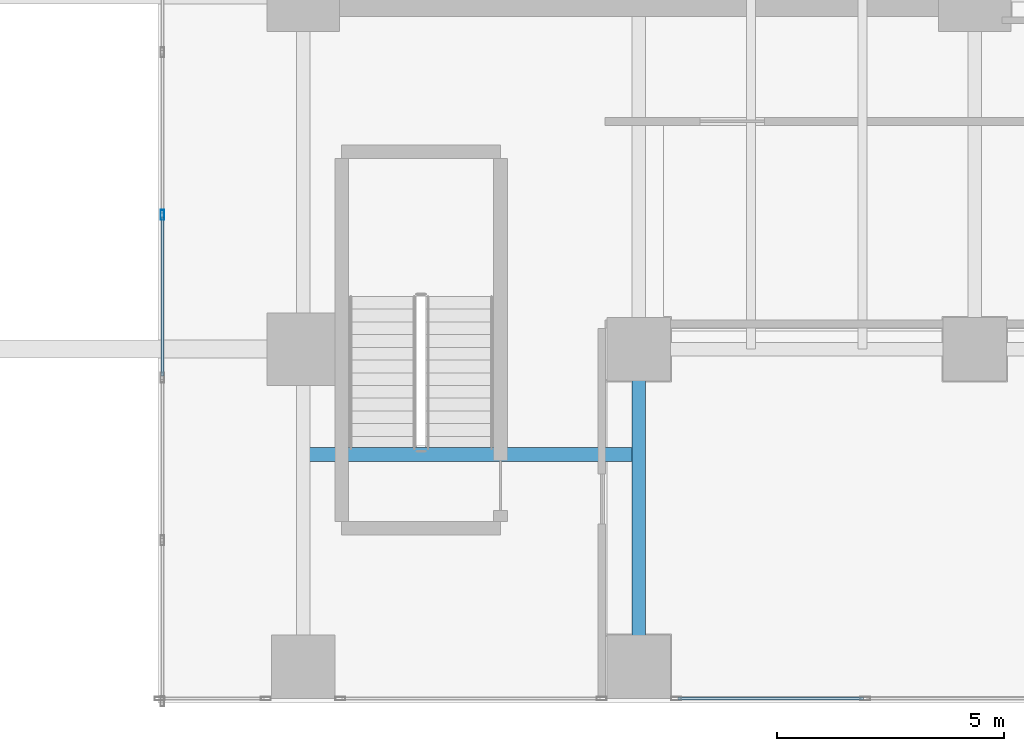
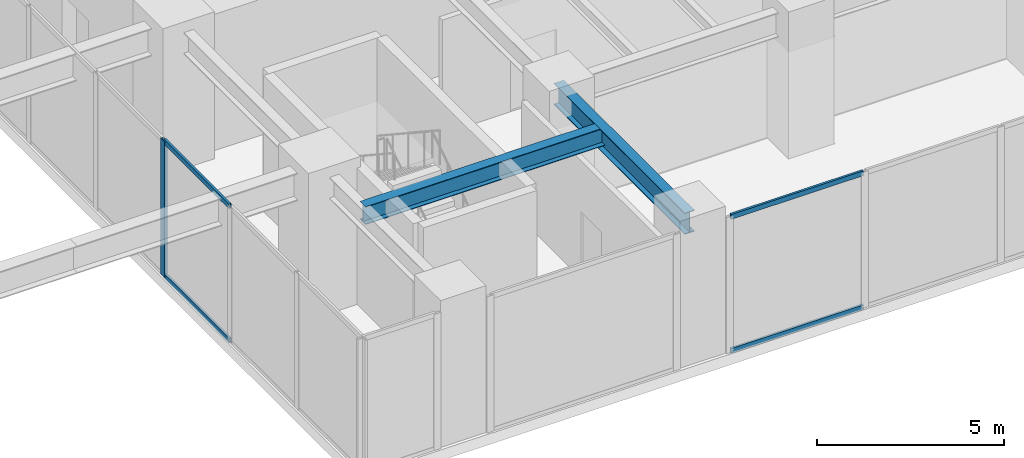
# One storey, part 11 of 39: 5 members, 2 beams, 2 elements without a shape of their own.
"""IFC4 building model written with IfcOpenShell, lengths in metres."""

from ifc_helpers import new_model, si_unit, direction, frame, origin, origin_2d, place, context, subcontext, project, spatial, hollow_rectangle, i_section, extrude, source, transform, mapped, material, layer, layer_set, material_profile, profile_set, type_object, type_shapes, element, aggregate, save


model = new_model("IFC4")

# Units and contexts
model_context = context("Model", 3, precision=1e-05, world=origin(), true_north=direction((0.0, 1.0)))
body_context = subcontext(model_context, "Body", "Model", "MODEL_VIEW")
ifc_project = project(units=[si_unit("LENGTHUNIT", "METRE"), si_unit("AREAUNIT", "SQUARE_METRE"), si_unit("VOLUMEUNIT", "CUBIC_METRE"), si_unit("PLANEANGLEUNIT", "RADIAN"), si_unit("MASSUNIT", "GRAM", prefix="KILO")], contexts=[model_context])

# Site, building, storey
site_placement = place(None, origin())
site = spatial("IfcSite", under=ifc_project, at=site_placement, CompositionType="ELEMENT")
building_placement = place(site_placement, origin())
building = spatial("IfcBuilding", under=site, at=building_placement, Name="Haelvirn Gate Laboratories", CompositionType="ELEMENT")
storey_placement = place(building_placement, frame((0.0, 0.0, 15.0)))
storey = spatial("IfcBuildingStorey", under=building, at=storey_placement, Name="L04", CompositionType="ELEMENT", Elevation=15.0)

# Beams
ifc_material_1 = material(Name="Steel SM355", Category="steel")
ifc_material_profile_1 = material_profile(ifc_material_1, i_section(OverallWidth=0.300048828125, OverallDepth=0.699951171875, WebThickness=0.012939453125, FlangeThickness=0.02392578125, at=origin_2d()), Name="H-700x300x13x24")
ifc_profile_set_1 = profile_set([ifc_material_profile_1], Name="Steel SM355")
beam_type_1 = type_object("IfcBeamType", Name="BM-G-700", PredefinedType="BEAM", material=ifc_profile_set_1)
shared_shape_1 = source(origin(), body_context, "Body", "SweptSolid", [
    extrude(i_section(OverallWidth=0.300048828125, OverallDepth=0.699951171875, WebThickness=0.012939453125, FlangeThickness=0.02392578125, at=origin_2d()), origin(), (0.0, 0.0, 1.0), 7.0),
])
type_shapes(beam_type_1, [shared_shape_1])
beam_1_placement = place(storey_placement, frame((60.0, 0.0, 4.10009765625), z_axis=(0.0, 1.0, 0.0), x_axis=(-1.0, 0.0, 0.0)))
element("IfcBeam", 1, at=beam_1_placement, inside=storey, type_object=beam_type_1, Name="L04 Stair ST4 East Trimmer Girder", PredefinedType="BEAM", context=body_context, shape_type="MappedRepresentation", body=[
    mapped(shared_shape_1, transform((0.0, 0.0, 0.0), scale=1.0)),
])
ifc_material_profile_2 = material_profile(ifc_material_1, i_section(OverallWidth=0.300048828125, OverallDepth=0.587890625, WebThickness=0.011962890625, FlangeThickness=0.02001953125, at=origin_2d()), Name="H-588x300x12x20")
ifc_profile_set_2 = profile_set([ifc_material_profile_2], Name="Steel SM355")
beam_type_2 = type_object("IfcBeamType", Name="BM-G-588", PredefinedType="BEAM", material=ifc_profile_set_2)
shared_shape_2 = source(origin(), body_context, "Body", "SweptSolid", [
    extrude(i_section(OverallWidth=0.300048828125, OverallDepth=0.587890625, WebThickness=0.011962890625, FlangeThickness=0.02001953125, at=origin_2d()), origin(), (0.0, 0.0, 1.0), 7.39990234375),
])
type_shapes(beam_type_2, [shared_shape_2])
beam_2_placement = place(storey_placement, frame((52.60009765625, 4.679931640625, 4.156005859375), z_axis=(1.0, 0.0, 0.0), x_axis=(0.0, 1.0, 0.0)))
element("IfcBeam", 2, at=beam_2_placement, inside=storey, type_object=beam_type_2, Name="L04 Stair ST4 Landing Header", PredefinedType="BEAM", context=body_context, shape_type="MappedRepresentation", body=[
    mapped(shared_shape_2, transform((0.0, 0.0, 0.0), scale=1.0)),
])

# Curtain wall, members
ifc_material_2 = material(Name="Anodised bronze unitised aluminium & triple low-E glass", Category="aluminium")
ifc_layer = layer(ifc_material_2, 0.18798828125, Name="CW-SYS-1")
ifc_layer_set = layer_set([ifc_layer], Name="Anodised bronze unitised aluminium & triple low-E glass")
curtain_wall_type = type_object("IfcCurtainWallType", Name="CW-SYS-1", PredefinedType="NOTDEFINED", material=ifc_layer_set)
curtain_wall_1_placement = place(storey_placement, origin())
curtain_wall_1 = element("IfcCurtainWall", 3, at=curtain_wall_1_placement, inside=storey, type_object=curtain_wall_type, Name="L04 Unitised Curtain Wall CW-L04-P1-E07", PredefinedType="NOTDEFINED")
ifc_material_3 = material(Name="Extruded aluminium 6063-T6 (anodised bronze)", Category="aluminium")
ifc_material_profile_3 = material_profile(ifc_material_3, hollow_rectangle(XDim=0.070068359375, YDim=0.159912109375, WallThickness=0.0048828125, at=origin_2d()), Name="CWT-160x70x5")
ifc_profile_set_3 = profile_set([ifc_material_profile_3], Name="Extruded aluminium 6063-T6 (anodised bronze)")
member_type_1 = type_object("IfcMemberType", Name="CWT-T160", PredefinedType="USERDEFINED", material=ifc_profile_set_3)
shared_shape_3 = source(origin(), body_context, "Body", "SweptSolid", [
    extrude(hollow_rectangle(XDim=0.070068359375, YDim=0.159912109375, WallThickness=0.0048828125, at=origin_2d()), origin(), (0.0, 0.0, 1.0), 3.505859375),
])
member_1_placement = place(storey_placement, frame((49.5, 9.917236328125, 0.034912109375), z_axis=(0.0, -1.0, 0.0), x_axis=(1.0, 0.0, 0.0)))
member_1 = element("IfcMember", 4, at=member_1_placement, type_object=member_type_1, Name="CW1 transom 12.1", ObjectType="TRANSOM", PredefinedType="USERDEFINED", context=body_context, shape_type="MappedRepresentation", body=[
    mapped(shared_shape_3, transform((0.0, 0.0, 0.0), scale=1.0)),
])
member_2_placement = place(storey_placement, frame((49.5, 9.917236328125, 4.4150390625), z_axis=(0.0, -1.0, 0.0), x_axis=(1.0, 0.0, 0.0)))
member_2 = element("IfcMember", 5, at=member_2_placement, type_object=member_type_1, Name="CW1 transom 12.2", ObjectType="TRANSOM", PredefinedType="USERDEFINED", context=body_context, shape_type="MappedRepresentation", body=[
    mapped(shared_shape_3, transform((0.0, 0.0, 0.0), scale=1.0)),
])

curtain_wall_2_placement = place(storey_placement, origin())
curtain_wall_2 = element("IfcCurtainWall", 6, at=curtain_wall_2_placement, inside=storey, type_object=curtain_wall_type, Name="L04 Unitised Curtain Wall CW-L04-P1-E00-1-S3", PredefinedType="NOTDEFINED")
shared_shape_4 = source(origin(), body_context, "Body", "SweptSolid", [
    extrude(hollow_rectangle(XDim=0.070068359375, YDim=0.159912109375, WallThickness=0.0048828125, at=origin_2d()), origin(), (0.0, 0.0, 1.0), 4.086669921875),
])
type_shapes(member_type_1, [shared_shape_3, shared_shape_4])
member_3_placement = place(storey_placement, frame((60.860107421875, -0.699951171875, 0.034912109375), z_axis=(1.0, 0.0, 0.0), x_axis=(0.0, 1.0, 0.0)))
member_3 = element("IfcMember", 7, at=member_3_placement, type_object=member_type_1, Name="CW1 transom 1.1", ObjectType="TRANSOM", PredefinedType="USERDEFINED", context=body_context, shape_type="MappedRepresentation", body=[
    mapped(shared_shape_4, transform((0.0, 0.0, 0.0), scale=1.0)),
])
member_4_placement = place(storey_placement, frame((60.860107421875, -0.699951171875, 4.4150390625), z_axis=(1.0, 0.0, 0.0), x_axis=(0.0, 1.0, 0.0)))
member_4 = element("IfcMember", 8, at=member_4_placement, type_object=member_type_1, Name="CW1 transom 1.2", ObjectType="TRANSOM", PredefinedType="USERDEFINED", context=body_context, shape_type="MappedRepresentation", body=[
    mapped(shared_shape_4, transform((0.0, 0.0, 0.0), scale=1.0)),
])
aggregate(curtain_wall_2, [member_3, member_4])

# Member
ifc_material_profile_4 = material_profile(ifc_material_3, hollow_rectangle(XDim=0.080078125, YDim=0.219970703125, WallThickness=0.006103515625, at=origin_2d()), Name="CWM-220x80x6")
ifc_profile_set_4 = profile_set([ifc_material_profile_4], Name="Extruded aluminium 6063-T6 (anodised bronze)")
member_type_2 = type_object("IfcMemberType", Name="CWM-T220", PredefinedType="MULLION", material=ifc_profile_set_4)
shared_shape_5 = source(origin(), body_context, "Body", "SweptSolid", [
    extrude(hollow_rectangle(XDim=0.080078125, YDim=0.219970703125, WallThickness=0.006103515625, at=origin_2d()), origin(), (0.0, 0.0, 1.0), 4.449951171875),
])
type_shapes(member_type_2, [shared_shape_5])
member_5_placement = place(storey_placement, frame((49.5, 9.95703125, 0.0), z_axis=(0.0, 0.0, 1.0), x_axis=(1.0, 0.0, 0.0)))
member_5 = element("IfcMember", 9, at=member_5_placement, type_object=member_type_2, Name="CW1 mullion 12", PredefinedType="MULLION", context=body_context, shape_type="MappedRepresentation", body=[
    mapped(shared_shape_5, transform((0.0, 0.0, 0.0), scale=1.0)),
])

aggregate(curtain_wall_1, [member_5, member_1, member_2])

save(model, "model.ifc")
